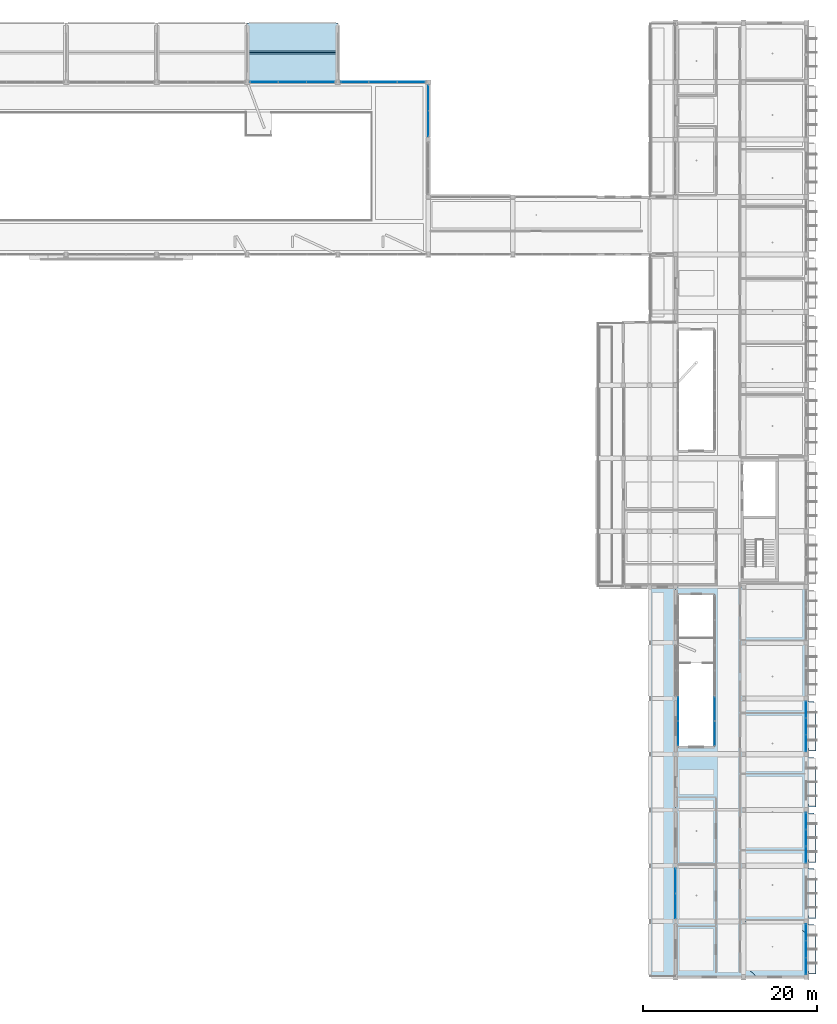
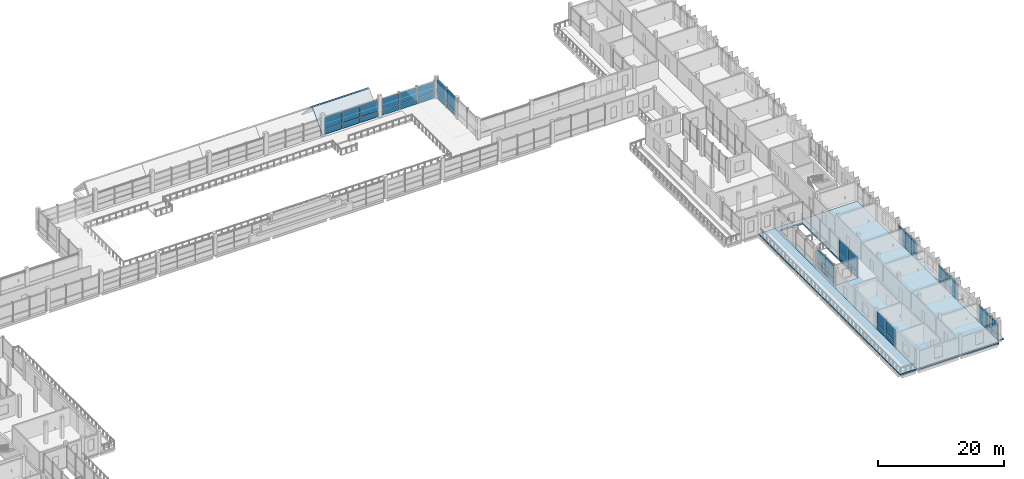
# One storey, part 34 of 85: 46 plates, 10 slabs, 10 elements without a shape of their own.
"""IFC4 building model written with IfcOpenShell, lengths in metres."""

import ifcopenshell
import ifcopenshell.guid

model = None  # the IFC model being written
_history = None  # IfcOwnerHistory: only IFC2X3 demands one
_inside = {}  # id of a spatial element -> (the spatial element, [elements in it])
_under = {}  # id of a project, library or spatial element -> (it, [spatial elements below it])
_declared = {}  # id of a project -> (the project, [libraries it declares])
_typed = {}  # id of a type object -> (the type object, [elements of that type])
_made_of = {}  # id of a material, layer set ... -> (it, [elements and type objects made of it])


def new_model(schema):
    """Start an empty IFC model of exactly this schema.

    Asked for "IFC4X3", IfcOpenShell would pick the latest addendum, in which some entities
    have other attributes; the version numbers below select the first issue.
    IFC2X3 requires an IfcOwnerHistory on every rooted entity: one is made here for all.
    """
    global model, _history
    if schema == "IFC4X3":
        model = ifcopenshell.file(schema_version=(4, 3, 0, 0))
    else:
        model = ifcopenshell.file(schema=schema)
    _inside.clear()
    _under.clear()
    _declared.clear()
    _typed.clear()
    _made_of.clear()
    _history = None
    if model.schema == "IFC2X3":
        org = make("IfcOrganization", Name="unknown")
        user = make(
            "IfcPersonAndOrganization",
            ThePerson=make("IfcPerson", FamilyName="unknown"),
            TheOrganization=org,
        )
        app = make(
            "IfcApplication",
            ApplicationDeveloper=org,
            Version="unknown",
            ApplicationFullName="unknown",
            ApplicationIdentifier="unknown",
        )
        _history = make(
            "IfcOwnerHistory",
            OwningUser=user,
            OwningApplication=app,
            ChangeAction="ADDED",
            CreationDate=0,
        )
    return model


def make(cls, **values):
    """One entity of the class cls with the attributes given. An attribute that is None is left unset."""
    return model.create_entity(
        cls, **{name: value for name, value in values.items() if value is not None}
    )


def rooted(cls, **values):
    """An entity with a GlobalId (a new one), such as an element, a storey or a relation."""
    return make(cls, GlobalId=ifcopenshell.guid.new(), OwnerHistory=_history, **values)


def si_unit(unit_type, name, prefix=None):
    """IfcSIUnit, for example si_unit("LENGTHUNIT", "METRE", prefix="MILLI")."""
    return make("IfcSIUnit", UnitType=unit_type, Prefix=prefix, Name=name)


def derived_unit(unit_type, elements):
    """IfcDerivedUnit: a product of units, each with its exponent."""
    return make(
        "IfcDerivedUnit",
        Elements=[
            make("IfcDerivedUnitElement", Unit=unit, Exponent=power)
            for unit, power in elements
        ],
        UnitType=unit_type,
    )


def assignment(units):
    """IfcUnitAssignment: the units of a project."""
    return None if units is None else make("IfcUnitAssignment", Units=units)


def point(xyz):
    """IfcCartesianPoint."""
    return None if xyz is None else make("IfcCartesianPoint", Coordinates=xyz)


def direction(xyz):
    """IfcDirection."""
    return None if xyz is None else make("IfcDirection", DirectionRatios=xyz)


def frame(location, z_axis=None, x_axis=None):
    """IfcAxis2Placement3D, a coordinate frame: its origin and axes. An axis left out is left unset."""
    return make(
        "IfcAxis2Placement3D",
        Location=point(location),
        Axis=direction(z_axis),
        RefDirection=direction(x_axis),
    )


def frame_2d(location, x_axis=None):
    """IfcAxis2Placement2D, a coordinate frame in the plane: its origin and x axis."""
    return make(
        "IfcAxis2Placement2D", Location=point(location), RefDirection=direction(x_axis)
    )


def origin():
    """The frame at (0, 0, 0) with its axes left unset."""
    return frame((0.0, 0.0, 0.0))


def origin_2d():
    """The frame at (0, 0) in the plane with its x axis left unset."""
    return frame_2d((0.0, 0.0))


def place(relative_to, where):
    """IfcLocalPlacement: puts the frame where relative to a parent placement (None: the world)."""
    return make(
        "IfcLocalPlacement", PlacementRelTo=relative_to, RelativePlacement=where
    )


def context(
    kind, dimensions, precision=None, world=None, true_north=None, identifier=None
):
    """IfcGeometricRepresentationContext, for example the 3D "Model" context."""
    return make(
        "IfcGeometricRepresentationContext",
        ContextIdentifier=identifier,
        ContextType=kind,
        CoordinateSpaceDimension=dimensions,
        Precision=precision,
        WorldCoordinateSystem=world,
        TrueNorth=true_north,
    )


def subcontext(parent, identifier, kind, view, scale=None):
    """IfcGeometricRepresentationSubContext, for example "Body" below "Model"."""
    return make(
        "IfcGeometricRepresentationSubContext",
        ContextIdentifier=identifier,
        ContextType=kind,
        ParentContext=parent,
        TargetScale=scale,
        TargetView=view,
    )


def project(units=None, contexts=None):
    """IfcProject with its units and contexts."""
    return rooted(
        "IfcProject",
        Name="project",
        RepresentationContexts=contexts,
        UnitsInContext=assignment(units),
    )


def spatial(cls, under=None, at=None, **own):
    """A site, building, storey or space (cls), placed at a placement, below another one or the project."""
    s = rooted(cls, ObjectPlacement=at, **own)
    if under is not None:
        _under.setdefault(under.id(), (under, []))[1].append(s)
    return s


def polyline(points):
    """IfcPolyline through the points."""
    return make("IfcPolyline", Points=[point(p) for p in points])


def profile(cls, at=None, kind="AREA", **sizes):
    """A parametric profile (cls). Its sizes go by their IFC names, for example OverallWidth=200.0."""
    return make(cls, ProfileType=kind, Position=at, **sizes)


def rectangle(**sizes):
    """IfcRectangleProfileDef."""
    return profile("IfcRectangleProfileDef", **sizes)


def outline(outer, holes=None, kind="AREA"):
    """IfcArbitraryClosedProfileDef: a profile drawn as a closed curve; with holes, ...WithVoids."""
    if holes is None:
        return make("IfcArbitraryClosedProfileDef", ProfileType=kind, OuterCurve=outer)
    return make(
        "IfcArbitraryProfileDefWithVoids",
        ProfileType=kind,
        OuterCurve=outer,
        InnerCurves=holes,
    )


def extrude(swept, where, along, depth):
    """IfcExtrudedAreaSolid: the profile swept, set in the frame where, extruded along a direction by depth."""
    return make(
        "IfcExtrudedAreaSolid",
        SweptArea=swept,
        Position=where,
        ExtrudedDirection=direction(along),
        Depth=depth,
    )


def shape(context_of_items, identifier, shape_type, items):
    """IfcShapeRepresentation: the items that make up one representation, for example the "Body"."""
    return make(
        "IfcShapeRepresentation",
        ContextOfItems=context_of_items,
        RepresentationIdentifier=identifier,
        RepresentationType=shape_type,
        Items=items,
    )


def material(Name=None, Category=None):
    """IfcMaterial."""
    return make("IfcMaterial", Name=Name, Category=Category)


def layer(
    of_material, thickness, ventilated=None, Name=None, Category=None, Priority=None
):
    """IfcMaterialLayer: one layer of a wall or slab, of a material (None: an air gap)."""
    return make(
        "IfcMaterialLayer",
        Material=of_material,
        LayerThickness=thickness,
        IsVentilated=ventilated,
        Name=Name,
        Category=Category,
        Priority=Priority,
    )


def layer_set(layers, Name=None):
    """IfcMaterialLayerSet."""
    return make("IfcMaterialLayerSet", MaterialLayers=layers, LayerSetName=Name)


def made_of(thing, what):
    """Note that an element or type object is made of a material, layer set ...; save() writes the relation."""
    if what is not None:
        _made_of.setdefault(what.id(), (what, []))[1].append(thing)
    return thing


def type_object(cls, material=None, **own):
    """A type object (cls), such as IfcWallType, which elements share."""
    return made_of(rooted(cls, **own), material)


def element(
    cls,
    number,
    at=None,
    inside=None,
    cuts=None,
    type_object=None,
    material=None,
    context=None,
    identifier="Body",
    shape_type=None,
    held_by="IfcProductDefinitionShape",
    body=None,
    shapes=None,
    **own,
):
    """One element of the class cls, such as IfcWall. Its Tag is "e" and its number.

    at: its placement. inside: the storey or other place that contains it. cuts: it is an
    opening in that element (IfcRelVoidsElement). A single representation is given by context,
    identifier, shape_type and body (its items); several are given by shapes. held_by: the class
    of the entity that holds the representations. save() writes the other relations.
    """
    e = rooted(cls, Tag="e%d" % number, ObjectPlacement=at, **own)
    if body is not None:
        shapes = [shape(context, identifier, shape_type, body)]
    if shapes is not None:
        e.Representation = make(held_by, Representations=shapes)
    if inside is not None:
        _inside.setdefault(inside.id(), (inside, []))[1].append(e)
    if cuts is not None:
        rooted(
            "IfcRelVoidsElement", RelatingBuildingElement=cuts, RelatedOpeningElement=e
        )
    if type_object is not None:
        _typed.setdefault(type_object.id(), (type_object, []))[1].append(e)
    return made_of(e, material)


def aggregate(whole, parts):
    """IfcRelAggregates: a whole, such as a stair, and the parts it consists of."""
    return rooted("IfcRelAggregates", RelatingObject=whole, RelatedObjects=parts)


def save(model, path):
    """Write the relations noted so far, then the file.

    IfcRelAggregates (storeys below a building ...), IfcRelContainedInSpatialStructure (elements
    in a storey), IfcRelDefinesByType, IfcRelAssociatesMaterial and IfcRelDeclares: one each for
    every whole, place, type object, material and project.
    """
    for whole, parts in _under.values():
        aggregate(whole, parts)
    for where, things in _inside.values():
        rooted(
            "IfcRelContainedInSpatialStructure",
            RelatedElements=things,
            RelatingStructure=where,
        )
    for kind, things in _typed.values():
        rooted("IfcRelDefinesByType", RelatedObjects=things, RelatingType=kind)
    for what, things in _made_of.values():
        rooted("IfcRelAssociatesMaterial", RelatedObjects=things, RelatingMaterial=what)
    for by, libraries in _declared.values():
        rooted("IfcRelDeclares", RelatingContext=by, RelatedDefinitions=libraries)
    model.write(path)


model = new_model("IFC4")

# Units and contexts
model_context = context("Model", 3, precision=1e-05, world=origin(), true_north=direction((0.0, 1.0)))
body_context = subcontext(model_context, "Body", "Model", "MODEL_VIEW")
ifc_project = project(units=[si_unit("LENGTHUNIT", "METRE"), si_unit("AREAUNIT", "SQUARE_METRE"), si_unit("VOLUMEUNIT", "CUBIC_METRE"), si_unit("PLANEANGLEUNIT", "RADIAN"), si_unit("MASSUNIT", "GRAM", prefix="KILO"), derived_unit("THERMALTRANSMITTANCEUNIT", [(si_unit("POWERUNIT", "WATT"), 1), (si_unit("LENGTHUNIT", "METRE"), -2), (si_unit("THERMODYNAMICTEMPERATUREUNIT", "KELVIN"), -1)])], contexts=[model_context])

# Site, building, storey
site_placement = place(None, origin())
site = spatial("IfcSite", under=ifc_project, at=site_placement, CompositionType="ELEMENT")
building_placement = place(site_placement, origin())
building = spatial("IfcBuilding", under=site, at=building_placement, Name="Braskholm Square Health Centre", CompositionType="ELEMENT")
storey_placement = place(building_placement, frame((0.0, 0.0, 9.300048828125)))
storey = spatial("IfcBuildingStorey", under=building, at=storey_placement, Name="L03", CompositionType="ELEMENT", Elevation=9.300048828125)

# Curtain wall, plates
ifc_material_1 = material(Name="Low-E triple insulating glass (VLT 0.64)", Category="glass")
curtain_wall_type_1 = type_object("IfcCurtainWallType", Name="UnitisedCurtainWall6200x3650", PredefinedType="NOTDEFINED", material=ifc_material_1)
curtain_wall_1_placement = place(storey_placement, origin())
curtain_wall_1 = element("IfcCurtainWall", 1, at=curtain_wall_1_placement, inside=storey, type_object=curtain_wall_type_1, Name="East Outer unitised curtain wall CW-L03-0060", PredefinedType="NOTDEFINED")
ifc_material_2 = material(Name="Architectural bronze anodised aluminium", Category="aluminium")
plate_type_1 = type_object("IfcPlateType", Name="CurtainPanelSpandrel1850x1020", PredefinedType="CURTAIN_PANEL", material=ifc_material_2)
plate_1_placement = place(storey_placement, frame((163.800048828125, 5.4599609375, 0.050048828125), z_axis=(0.0, 0.0, 1.0), x_axis=(0.0, 1.0, 0.0)))
plate_1 = element("IfcPlate", 2, at=plate_1_placement, type_object=plate_type_1, Name="CW-L03-0060 spandrel panel 1", PredefinedType="CURTAIN_PANEL", context=body_context, shape_type="SweptSolid", body=[
    extrude(rectangle(XDim=1.823486328125, YDim=0.035888671875, at=origin_2d()), origin(), (0.0, 0.0, 1.0), 1.02001953125),
])
plate_2_placement = place(storey_placement, frame((163.800048828125, 7.39990234375, 0.050048828125), z_axis=(0.0, 0.0, 1.0), x_axis=(0.0, 1.0, 0.0)))
plate_2 = element("IfcPlate", 3, at=plate_2_placement, type_object=plate_type_1, Name="CW-L03-0060 spandrel panel 2", PredefinedType="CURTAIN_PANEL", context=body_context, shape_type="SweptSolid", body=[
    extrude(rectangle(XDim=1.823486328125, YDim=0.035888671875, at=origin_2d()), origin(), (0.0, 0.0, 1.0), 1.02001953125),
])
plate_3_placement = place(storey_placement, frame((163.800048828125, 9.340087890625, 0.050048828125), z_axis=(0.0, 0.0, 1.0), x_axis=(0.0, 1.0, 0.0)))
plate_3 = element("IfcPlate", 4, at=plate_3_placement, type_object=plate_type_1, Name="CW-L03-0060 spandrel panel 3", PredefinedType="CURTAIN_PANEL", context=body_context, shape_type="SweptSolid", body=[
    extrude(rectangle(XDim=1.823486328125, YDim=0.035888671875, at=origin_2d()), origin(), (0.0, 0.0, 1.0), 1.02001953125),
])

curtain_wall_2_placement = place(storey_placement, origin())
curtain_wall_2 = element("IfcCurtainWall", 5, at=curtain_wall_2_placement, inside=storey, type_object=curtain_wall_type_1, Name="East Outer unitised curtain wall CW-L03-0061", PredefinedType="NOTDEFINED")
plate_4_placement = place(storey_placement, frame((163.800048828125, 18.260009765625, 0.050048828125), z_axis=(0.0, 0.0, 1.0), x_axis=(0.0, 1.0, 0.0)))
plate_4 = element("IfcPlate", 6, at=plate_4_placement, type_object=plate_type_1, Name="CW-L03-0061 spandrel panel 1", PredefinedType="CURTAIN_PANEL", context=body_context, shape_type="SweptSolid", body=[
    extrude(rectangle(XDim=1.823486328125, YDim=0.035888671875, at=origin_2d()), origin(), (0.0, 0.0, 1.0), 1.02001953125),
])
plate_5_placement = place(storey_placement, frame((163.800048828125, 20.199951171875, 0.050048828125), z_axis=(0.0, 0.0, 1.0), x_axis=(0.0, 1.0, 0.0)))
plate_5 = element("IfcPlate", 7, at=plate_5_placement, type_object=plate_type_1, Name="CW-L03-0061 spandrel panel 2", PredefinedType="CURTAIN_PANEL", context=body_context, shape_type="SweptSolid", body=[
    extrude(rectangle(XDim=1.823486328125, YDim=0.035888671875, at=origin_2d()), origin(), (0.0, 0.0, 1.0), 1.02001953125),
])
plate_6_placement = place(storey_placement, frame((163.800048828125, 22.139892578125, 0.050048828125), z_axis=(0.0, 0.0, 1.0), x_axis=(0.0, 1.0, 0.0)))
plate_6 = element("IfcPlate", 8, at=plate_6_placement, type_object=plate_type_1, Name="CW-L03-0061 spandrel panel 3", PredefinedType="CURTAIN_PANEL", context=body_context, shape_type="SweptSolid", body=[
    extrude(rectangle(XDim=1.823486328125, YDim=0.035888671875, at=origin_2d()), origin(), (0.0, 0.0, 1.0), 1.02001953125),
])

curtain_wall_3_placement = place(storey_placement, origin())
curtain_wall_3 = element("IfcCurtainWall", 9, at=curtain_wall_3_placement, inside=storey, type_object=curtain_wall_type_1, Name="East Outer unitised curtain wall CW-L03-0062", PredefinedType="NOTDEFINED")
plate_7_placement = place(storey_placement, frame((163.800048828125, 31.06005859375, 0.050048828125), z_axis=(0.0, 0.0, 1.0), x_axis=(0.0, 1.0, 0.0)))
plate_7 = element("IfcPlate", 10, at=plate_7_placement, type_object=plate_type_1, Name="CW-L03-0062 spandrel panel 1", PredefinedType="CURTAIN_PANEL", context=body_context, shape_type="SweptSolid", body=[
    extrude(rectangle(XDim=1.823486328125, YDim=0.035888671875, at=origin_2d()), origin(), (0.0, 0.0, 1.0), 1.02001953125),
])
plate_8_placement = place(storey_placement, frame((163.800048828125, 33.0, 0.050048828125), z_axis=(0.0, 0.0, 1.0), x_axis=(0.0, 1.0, 0.0)))
plate_8 = element("IfcPlate", 11, at=plate_8_placement, type_object=plate_type_1, Name="CW-L03-0062 spandrel panel 2", PredefinedType="CURTAIN_PANEL", context=body_context, shape_type="SweptSolid", body=[
    extrude(rectangle(XDim=1.823486328125, YDim=0.035888671875, at=origin_2d()), origin(), (0.0, 0.0, 1.0), 1.02001953125),
])
plate_9_placement = place(storey_placement, frame((163.800048828125, 34.93994140625, 0.050048828125), z_axis=(0.0, 0.0, 1.0), x_axis=(0.0, 1.0, 0.0)))
plate_9 = element("IfcPlate", 12, at=plate_9_placement, type_object=plate_type_1, Name="CW-L03-0062 spandrel panel 3", PredefinedType="CURTAIN_PANEL", context=body_context, shape_type="SweptSolid", body=[
    extrude(rectangle(XDim=1.823486328125, YDim=0.035888671875, at=origin_2d()), origin(), (0.0, 0.0, 1.0), 1.02001953125),
])

curtain_wall_4_placement = place(storey_placement, origin())
curtain_wall_4 = element("IfcCurtainWall", 13, at=curtain_wall_4_placement, inside=storey, type_object=curtain_wall_type_1, Name="East Valley unitised curtain wall CW-L03-0123", PredefinedType="NOTDEFINED")
plate_type_2 = type_object("IfcPlateType", Name="CurtainPanelSpandrel2750x1020", PredefinedType="CURTAIN_PANEL", material=ifc_material_2)
plate_10_placement = place(storey_placement, frame((148.800048828125, 15.25244140625, 0.050048828125), z_axis=(0.0, 0.0, 1.0), x_axis=(0.0, -1.0, 0.0)))
plate_10 = element("IfcPlate", 14, at=plate_10_placement, type_object=plate_type_2, Name="CW-L03-0123 spandrel panel 1", PredefinedType="CURTAIN_PANEL", context=body_context, shape_type="SweptSolid", body=[
    extrude(rectangle(XDim=2.763671875, YDim=0.035888671875, at=origin_2d()), origin(), (0.0, 0.0, 1.0), 1.02001953125),
])
plate_11_placement = place(storey_placement, frame((148.800048828125, 12.34765625, 0.050048828125), z_axis=(0.0, 0.0, 1.0), x_axis=(0.0, -1.0, 0.0)))
plate_11 = element("IfcPlate", 15, at=plate_11_placement, type_object=plate_type_2, Name="CW-L03-0123 spandrel panel 2", PredefinedType="CURTAIN_PANEL", context=body_context, shape_type="SweptSolid", body=[
    extrude(rectangle(XDim=2.763671875, YDim=0.035888671875, at=origin_2d()), origin(), (0.0, 0.0, 1.0), 1.02001953125),
])

curtain_wall_type_2 = type_object("IfcCurtainWallType", Name="UnitisedCurtainWall6200x3800", PredefinedType="NOTDEFINED", material=ifc_material_1)
curtain_wall_5_placement = place(storey_placement, origin())
curtain_wall_5 = element("IfcCurtainWall", 16, at=curtain_wall_5_placement, inside=storey, type_object=curtain_wall_type_2, Name="Hall Cheek L03 unitised curtain wall CW-L03-0228", PredefinedType="NOTDEFINED")
plate_12_placement = place(storey_placement, frame((120.39990234375, 102.218017578125, 0.050048828125), z_axis=(0.0, 0.0, 1.0), x_axis=(0.0, 1.0, 0.0)))
plate_12 = element("IfcPlate", 17, at=plate_12_placement, type_object=plate_type_2, Name="CW-L03-0228 spandrel panel 1", PredefinedType="CURTAIN_PANEL", context=body_context, shape_type="SweptSolid", body=[
    extrude(rectangle(XDim=2.820068359375, YDim=0.035888671875, at=origin_2d()), origin(), (0.0, 0.0, 1.0), 1.02001953125),
])
plate_13_placement = place(storey_placement, frame((120.39990234375, 105.181884765625, 0.050048828125), z_axis=(0.0, 0.0, 1.0), x_axis=(0.0, 1.0, 0.0)))
plate_13 = element("IfcPlate", 18, at=plate_13_placement, type_object=plate_type_2, Name="CW-L03-0228 spandrel panel 2", PredefinedType="CURTAIN_PANEL", context=body_context, shape_type="SweptSolid", body=[
    extrude(rectangle(XDim=2.820068359375, YDim=0.035888671875, at=origin_2d()), origin(), (0.0, 0.0, 1.0), 1.02001953125),
])

curtain_wall_type_3 = type_object("IfcCurtainWallType", Name="UnitisedCurtainWall5400x4100", PredefinedType="NOTDEFINED", material=ifc_material_1)
curtain_wall_6_placement = place(storey_placement, origin())
curtain_wall_6 = element("IfcCurtainWall", 19, at=curtain_wall_6_placement, inside=storey, type_object=curtain_wall_type_3, Name="EC1 Court W unitised curtain wall CW-L03-0333", PredefinedType="NOTDEFINED")
plate_14_placement = place(storey_placement, frame((149.10009765625, 32.187744140625, 0.050048828125), z_axis=(0.0, 0.0, 1.0), x_axis=(0.0, 1.0, 0.0)))
plate_14 = element("IfcPlate", 20, at=plate_14_placement, type_object=plate_type_2, Name="CW-L03-0333 spandrel panel 1", PredefinedType="CURTAIN_PANEL", context=body_context, shape_type="SweptSolid", body=[
    extrude(rectangle(XDim=2.689208984375, YDim=0.035888671875, at=origin_2d()), origin(), (0.0, 0.0, 1.0), 1.02001953125),
])
plate_15_placement = place(storey_placement, frame((149.10009765625, 35.014404296875, 0.050048828125), z_axis=(0.0, 0.0, 1.0), x_axis=(0.0, 1.0, 0.0)))
plate_15 = element("IfcPlate", 21, at=plate_15_placement, type_object=plate_type_2, Name="CW-L03-0333 spandrel panel 2", PredefinedType="CURTAIN_PANEL", context=body_context, shape_type="SweptSolid", body=[
    extrude(rectangle(XDim=2.689208984375, YDim=0.035888671875, at=origin_2d()), origin(), (0.0, 0.0, 1.0), 1.02001953125),
])

curtain_wall_7_placement = place(storey_placement, origin())
curtain_wall_7 = element("IfcCurtainWall", 22, at=curtain_wall_7_placement, inside=storey, type_object=curtain_wall_type_3, Name="EC1 Court E unitised curtain wall CW-L03-0334", PredefinedType="NOTDEFINED")
plate_16_placement = place(storey_placement, frame((153.300048828125, 35.014404296875, 0.050048828125), z_axis=(0.0, 0.0, 1.0), x_axis=(0.0, -1.0, 0.0)))
plate_16 = element("IfcPlate", 23, at=plate_16_placement, type_object=plate_type_2, Name="CW-L03-0334 spandrel panel 1", PredefinedType="CURTAIN_PANEL", context=body_context, shape_type="SweptSolid", body=[
    extrude(rectangle(XDim=2.689208984375, YDim=0.035888671875, at=origin_2d()), origin(), (0.0, 0.0, 1.0), 1.02001953125),
])
plate_17_placement = place(storey_placement, frame((153.300048828125, 32.187744140625, 0.050048828125), z_axis=(0.0, 0.0, 1.0), x_axis=(0.0, -1.0, 0.0)))
plate_17 = element("IfcPlate", 24, at=plate_17_placement, type_object=plate_type_2, Name="CW-L03-0334 spandrel panel 2", PredefinedType="CURTAIN_PANEL", context=body_context, shape_type="SweptSolid", body=[
    extrude(rectangle(XDim=2.689208984375, YDim=0.035888671875, at=origin_2d()), origin(), (0.0, 0.0, 1.0), 1.02001953125),
])

curtain_wall_8_placement = place(storey_placement, origin())
curtain_wall_8 = element("IfcCurtainWall", 25, at=curtain_wall_8_placement, inside=storey, type_object=curtain_wall_type_1, Name="Hall North Clerestory unitised curtain wall CW-L03-0234", PredefinedType="NOTDEFINED")
plate_type_3 = type_object("IfcPlateType", Name="CurtainPanelSpandrel3150x1020", PredefinedType="CURTAIN_PANEL", material=ifc_material_2)
plate_18_placement = place(storey_placement, frame((108.066650390625, 107.0, 0.050048828125), z_axis=(0.0, 0.0, 1.0), x_axis=(-1.0, 0.0, 0.0)))
plate_18 = element("IfcPlate", 26, at=plate_18_placement, type_object=plate_type_3, Name="CW-L03-0234 spandrel panel 1", PredefinedType="CURTAIN_PANEL", context=body_context, shape_type="SweptSolid", body=[
    extrude(rectangle(XDim=3.07080078125, YDim=0.035888671875, at=origin_2d()), origin(), (0.0, 0.0, 1.0), 1.02001953125),
])
plate_19_placement = place(storey_placement, frame((104.800048828125, 107.0, 0.050048828125), z_axis=(0.0, 0.0, 1.0), x_axis=(-1.0, 0.0, 0.0)))
plate_19 = element("IfcPlate", 27, at=plate_19_placement, type_object=plate_type_3, Name="CW-L03-0234 spandrel panel 2", PredefinedType="CURTAIN_PANEL", context=body_context, shape_type="SweptSolid", body=[
    extrude(rectangle(XDim=3.07080078125, YDim=0.035888671875, at=origin_2d()), origin(), (0.0, 0.0, 1.0), 1.02001953125),
])
plate_20_placement = place(storey_placement, frame((101.533203125, 107.0, 0.050048828125), z_axis=(0.0, 0.0, 1.0), x_axis=(-1.0, 0.0, 0.0)))
plate_20 = element("IfcPlate", 28, at=plate_20_placement, type_object=plate_type_3, Name="CW-L03-0234 spandrel panel 3", PredefinedType="CURTAIN_PANEL", context=body_context, shape_type="SweptSolid", body=[
    extrude(rectangle(XDim=3.07080078125, YDim=0.035888671875, at=origin_2d()), origin(), (0.0, 0.0, 1.0), 1.02001953125),
])

curtain_wall_9_placement = place(storey_placement, origin())
curtain_wall_9 = element("IfcCurtainWall", 29, at=curtain_wall_9_placement, inside=storey, type_object=curtain_wall_type_1, Name="Hall North Clerestory unitised curtain wall CW-L03-0235", PredefinedType="NOTDEFINED")
plate_21_placement = place(storey_placement, frame((118.466796875, 107.0, 0.050048828125), z_axis=(0.0, 0.0, 1.0), x_axis=(-1.0, 0.0, 0.0)))
plate_21 = element("IfcPlate", 30, at=plate_21_placement, type_object=plate_type_3, Name="CW-L03-0235 spandrel panel 1", PredefinedType="CURTAIN_PANEL", context=body_context, shape_type="SweptSolid", body=[
    extrude(rectangle(XDim=3.07080078125, YDim=0.035888671875, at=origin_2d()), origin(), (0.0, 0.0, 1.0), 1.02001953125),
])
plate_22_placement = place(storey_placement, frame((115.199951171875, 107.0, 0.050048828125), z_axis=(0.0, 0.0, 1.0), x_axis=(-1.0, 0.0, 0.0)))
plate_22 = element("IfcPlate", 31, at=plate_22_placement, type_object=plate_type_3, Name="CW-L03-0235 spandrel panel 2", PredefinedType="CURTAIN_PANEL", context=body_context, shape_type="SweptSolid", body=[
    extrude(rectangle(XDim=3.07080078125, YDim=0.035888671875, at=origin_2d()), origin(), (0.0, 0.0, 1.0), 1.02001953125),
])
plate_23_placement = place(storey_placement, frame((111.933349609375, 107.0, 0.050048828125), z_axis=(0.0, 0.0, 1.0), x_axis=(-1.0, 0.0, 0.0)))
plate_23 = element("IfcPlate", 32, at=plate_23_placement, type_object=plate_type_3, Name="CW-L03-0235 spandrel panel 3", PredefinedType="CURTAIN_PANEL", context=body_context, shape_type="SweptSolid", body=[
    extrude(rectangle(XDim=3.07080078125, YDim=0.035888671875, at=origin_2d()), origin(), (0.0, 0.0, 1.0), 1.02001953125),
])

# Plate
plate_type_4 = type_object("IfcPlateType", Name="CurtainPanelVision1850x2120", PredefinedType="CURTAIN_PANEL", material=ifc_material_1)
plate_24_placement = place(storey_placement, frame((163.800048828125, 5.4599609375, 1.169921875), z_axis=(0.0, 0.0, 1.0), x_axis=(0.0, 1.0, 0.0)))
plate_24 = element("IfcPlate", 33, at=plate_24_placement, type_object=plate_type_4, Name="CW-L03-0060 vision glass panel 1", PredefinedType="CURTAIN_PANEL", context=body_context, shape_type="SweptSolid", body=[
    extrude(rectangle(XDim=1.823486328125, YDim=0.035888671875, at=origin_2d()), origin(), (0.0, 0.0, 1.0), 2.199951171875),
])

plate_25_placement = place(storey_placement, frame((163.800048828125, 7.39990234375, 1.169921875), z_axis=(0.0, 0.0, 1.0), x_axis=(0.0, 1.0, 0.0)))
plate_25 = element("IfcPlate", 34, at=plate_25_placement, type_object=plate_type_4, Name="CW-L03-0060 vision glass panel 2", PredefinedType="CURTAIN_PANEL", context=body_context, shape_type="SweptSolid", body=[
    extrude(rectangle(XDim=1.823486328125, YDim=0.035888671875, at=origin_2d()), origin(), (0.0, 0.0, 1.0), 2.199951171875),
])

plate_26_placement = place(storey_placement, frame((163.800048828125, 9.340087890625, 1.169921875), z_axis=(0.0, 0.0, 1.0), x_axis=(0.0, 1.0, 0.0)))
plate_26 = element("IfcPlate", 35, at=plate_26_placement, type_object=plate_type_4, Name="CW-L03-0060 vision glass panel 3", PredefinedType="CURTAIN_PANEL", context=body_context, shape_type="SweptSolid", body=[
    extrude(rectangle(XDim=1.823486328125, YDim=0.035888671875, at=origin_2d()), origin(), (0.0, 0.0, 1.0), 2.199951171875),
])

aggregate(curtain_wall_1, [plate_1, plate_24, plate_2, plate_25, plate_3, plate_26])

plate_27_placement = place(storey_placement, frame((163.800048828125, 18.260009765625, 1.169921875), z_axis=(0.0, 0.0, 1.0), x_axis=(0.0, 1.0, 0.0)))
plate_27 = element("IfcPlate", 36, at=plate_27_placement, type_object=plate_type_4, Name="CW-L03-0061 vision glass panel 1", PredefinedType="CURTAIN_PANEL", context=body_context, shape_type="SweptSolid", body=[
    extrude(rectangle(XDim=1.823486328125, YDim=0.035888671875, at=origin_2d()), origin(), (0.0, 0.0, 1.0), 2.199951171875),
])

plate_28_placement = place(storey_placement, frame((163.800048828125, 20.199951171875, 1.169921875), z_axis=(0.0, 0.0, 1.0), x_axis=(0.0, 1.0, 0.0)))
plate_28 = element("IfcPlate", 37, at=plate_28_placement, type_object=plate_type_4, Name="CW-L03-0061 vision glass panel 2", PredefinedType="CURTAIN_PANEL", context=body_context, shape_type="SweptSolid", body=[
    extrude(rectangle(XDim=1.823486328125, YDim=0.035888671875, at=origin_2d()), origin(), (0.0, 0.0, 1.0), 2.199951171875),
])

plate_29_placement = place(storey_placement, frame((163.800048828125, 22.139892578125, 1.169921875), z_axis=(0.0, 0.0, 1.0), x_axis=(0.0, 1.0, 0.0)))
plate_29 = element("IfcPlate", 38, at=plate_29_placement, type_object=plate_type_4, Name="CW-L03-0061 vision glass panel 3", PredefinedType="CURTAIN_PANEL", context=body_context, shape_type="SweptSolid", body=[
    extrude(rectangle(XDim=1.823486328125, YDim=0.035888671875, at=origin_2d()), origin(), (0.0, 0.0, 1.0), 2.199951171875),
])

aggregate(curtain_wall_2, [plate_4, plate_27, plate_5, plate_28, plate_6, plate_29])

plate_30_placement = place(storey_placement, frame((163.800048828125, 31.06005859375, 1.169921875), z_axis=(0.0, 0.0, 1.0), x_axis=(0.0, 1.0, 0.0)))
plate_30 = element("IfcPlate", 39, at=plate_30_placement, type_object=plate_type_4, Name="CW-L03-0062 vision glass panel 1", PredefinedType="CURTAIN_PANEL", context=body_context, shape_type="SweptSolid", body=[
    extrude(rectangle(XDim=1.823486328125, YDim=0.035888671875, at=origin_2d()), origin(), (0.0, 0.0, 1.0), 2.199951171875),
])

plate_31_placement = place(storey_placement, frame((163.800048828125, 33.0, 1.169921875), z_axis=(0.0, 0.0, 1.0), x_axis=(0.0, 1.0, 0.0)))
plate_31 = element("IfcPlate", 40, at=plate_31_placement, type_object=plate_type_4, Name="CW-L03-0062 vision glass panel 2", PredefinedType="CURTAIN_PANEL", context=body_context, shape_type="SweptSolid", body=[
    extrude(rectangle(XDim=1.823486328125, YDim=0.035888671875, at=origin_2d()), origin(), (0.0, 0.0, 1.0), 2.199951171875),
])

plate_32_placement = place(storey_placement, frame((163.800048828125, 34.93994140625, 1.169921875), z_axis=(0.0, 0.0, 1.0), x_axis=(0.0, 1.0, 0.0)))
plate_32 = element("IfcPlate", 41, at=plate_32_placement, type_object=plate_type_4, Name="CW-L03-0062 vision glass panel 3", PredefinedType="CURTAIN_PANEL", context=body_context, shape_type="SweptSolid", body=[
    extrude(rectangle(XDim=1.823486328125, YDim=0.035888671875, at=origin_2d()), origin(), (0.0, 0.0, 1.0), 2.199951171875),
])

aggregate(curtain_wall_3, [plate_7, plate_30, plate_8, plate_31, plate_9, plate_32])

plate_type_5 = type_object("IfcPlateType", Name="CurtainPanelVision2750x2120", PredefinedType="CURTAIN_PANEL", material=ifc_material_1)
plate_33_placement = place(storey_placement, frame((148.800048828125, 15.25244140625, 1.169921875), z_axis=(0.0, 0.0, 1.0), x_axis=(0.0, -1.0, 0.0)))
plate_33 = element("IfcPlate", 42, at=plate_33_placement, type_object=plate_type_5, Name="CW-L03-0123 vision glass panel 1", PredefinedType="CURTAIN_PANEL", context=body_context, shape_type="SweptSolid", body=[
    extrude(rectangle(XDim=2.763671875, YDim=0.035888671875, at=origin_2d()), origin(), (0.0, 0.0, 1.0), 2.2900390625),
])

plate_34_placement = place(storey_placement, frame((148.800048828125, 12.34765625, 1.169921875), z_axis=(0.0, 0.0, 1.0), x_axis=(0.0, -1.0, 0.0)))
plate_34 = element("IfcPlate", 43, at=plate_34_placement, type_object=plate_type_5, Name="CW-L03-0123 vision glass panel 2", PredefinedType="CURTAIN_PANEL", context=body_context, shape_type="SweptSolid", body=[
    extrude(rectangle(XDim=2.763671875, YDim=0.035888671875, at=origin_2d()), origin(), (0.0, 0.0, 1.0), 2.2900390625),
])

aggregate(curtain_wall_4, [plate_10, plate_33, plate_11, plate_34])

plate_type_6 = type_object("IfcPlateType", Name="CurtainPanelVision2750x2520", PredefinedType="CURTAIN_PANEL", material=ifc_material_1)
plate_35_placement = place(storey_placement, frame((120.39990234375, 102.218017578125, 1.169921875), z_axis=(0.0, 0.0, 1.0), x_axis=(0.0, 1.0, 0.0)))
plate_35 = element("IfcPlate", 44, at=plate_35_placement, type_object=plate_type_6, Name="CW-L03-0228 vision glass panel 1", PredefinedType="CURTAIN_PANEL", context=body_context, shape_type="SweptSolid", body=[
    extrude(rectangle(XDim=2.820068359375, YDim=0.035888671875, at=origin_2d()), origin(), (0.0, 0.0, 1.0), 2.6201171875),
])

plate_36_placement = place(storey_placement, frame((120.39990234375, 105.181884765625, 1.169921875), z_axis=(0.0, 0.0, 1.0), x_axis=(0.0, 1.0, 0.0)))
plate_36 = element("IfcPlate", 45, at=plate_36_placement, type_object=plate_type_6, Name="CW-L03-0228 vision glass panel 2", PredefinedType="CURTAIN_PANEL", context=body_context, shape_type="SweptSolid", body=[
    extrude(rectangle(XDim=2.820068359375, YDim=0.035888671875, at=origin_2d()), origin(), (0.0, 0.0, 1.0), 2.6201171875),
])

aggregate(curtain_wall_5, [plate_12, plate_35, plate_13, plate_36])

plate_37_placement = place(storey_placement, frame((149.10009765625, 32.187744140625, 1.169921875), z_axis=(0.0, 0.0, 1.0), x_axis=(0.0, 1.0, 0.0)))
plate_37 = element("IfcPlate", 46, at=plate_37_placement, type_object=plate_type_6, Name="CW-L03-0333 vision glass panel 1", PredefinedType="CURTAIN_PANEL", context=body_context, shape_type="SweptSolid", body=[
    extrude(rectangle(XDim=2.689208984375, YDim=0.035888671875, at=origin_2d()), origin(), (0.0, 0.0, 1.0), 2.669921875),
])

plate_38_placement = place(storey_placement, frame((149.10009765625, 35.014404296875, 1.169921875), z_axis=(0.0, 0.0, 1.0), x_axis=(0.0, 1.0, 0.0)))
plate_38 = element("IfcPlate", 47, at=plate_38_placement, type_object=plate_type_6, Name="CW-L03-0333 vision glass panel 2", PredefinedType="CURTAIN_PANEL", context=body_context, shape_type="SweptSolid", body=[
    extrude(rectangle(XDim=2.689208984375, YDim=0.035888671875, at=origin_2d()), origin(), (0.0, 0.0, 1.0), 2.669921875),
])

aggregate(curtain_wall_6, [plate_14, plate_37, plate_15, plate_38])

plate_39_placement = place(storey_placement, frame((153.300048828125, 35.014404296875, 1.169921875), z_axis=(0.0, 0.0, 1.0), x_axis=(0.0, -1.0, 0.0)))
plate_39 = element("IfcPlate", 48, at=plate_39_placement, type_object=plate_type_6, Name="CW-L03-0334 vision glass panel 1", PredefinedType="CURTAIN_PANEL", context=body_context, shape_type="SweptSolid", body=[
    extrude(rectangle(XDim=2.689208984375, YDim=0.035888671875, at=origin_2d()), origin(), (0.0, 0.0, 1.0), 2.669921875),
])

plate_40_placement = place(storey_placement, frame((153.300048828125, 32.187744140625, 1.169921875), z_axis=(0.0, 0.0, 1.0), x_axis=(0.0, -1.0, 0.0)))
plate_40 = element("IfcPlate", 49, at=plate_40_placement, type_object=plate_type_6, Name="CW-L03-0334 vision glass panel 2", PredefinedType="CURTAIN_PANEL", context=body_context, shape_type="SweptSolid", body=[
    extrude(rectangle(XDim=2.689208984375, YDim=0.035888671875, at=origin_2d()), origin(), (0.0, 0.0, 1.0), 2.669921875),
])

aggregate(curtain_wall_7, [plate_16, plate_39, plate_17, plate_40])

plate_type_7 = type_object("IfcPlateType", Name="CurtainPanelVision3150x2120", PredefinedType="CURTAIN_PANEL", material=ifc_material_1)
plate_41_placement = place(storey_placement, frame((108.066650390625, 107.0, 1.169921875), z_axis=(0.0, 0.0, 1.0), x_axis=(-1.0, 0.0, 0.0)))
plate_41 = element("IfcPlate", 50, at=plate_41_placement, type_object=plate_type_7, Name="CW-L03-0234 vision glass panel 1", PredefinedType="CURTAIN_PANEL", context=body_context, shape_type="SweptSolid", body=[
    extrude(rectangle(XDim=3.07080078125, YDim=0.035888671875, at=origin_2d()), origin(), (0.0, 0.0, 1.0), 2.075927734375),
])

plate_42_placement = place(storey_placement, frame((104.800048828125, 107.0, 1.169921875), z_axis=(0.0, 0.0, 1.0), x_axis=(-1.0, 0.0, 0.0)))
plate_42 = element("IfcPlate", 51, at=plate_42_placement, type_object=plate_type_7, Name="CW-L03-0234 vision glass panel 2", PredefinedType="CURTAIN_PANEL", context=body_context, shape_type="SweptSolid", body=[
    extrude(rectangle(XDim=3.07080078125, YDim=0.035888671875, at=origin_2d()), origin(), (0.0, 0.0, 1.0), 2.075927734375),
])

plate_43_placement = place(storey_placement, frame((101.533203125, 107.0, 1.169921875), z_axis=(0.0, 0.0, 1.0), x_axis=(-1.0, 0.0, 0.0)))
plate_43 = element("IfcPlate", 52, at=plate_43_placement, type_object=plate_type_7, Name="CW-L03-0234 vision glass panel 3", PredefinedType="CURTAIN_PANEL", context=body_context, shape_type="SweptSolid", body=[
    extrude(rectangle(XDim=3.07080078125, YDim=0.035888671875, at=origin_2d()), origin(), (0.0, 0.0, 1.0), 2.075927734375),
])

aggregate(curtain_wall_8, [plate_18, plate_41, plate_19, plate_42, plate_20, plate_43])

plate_44_placement = place(storey_placement, frame((118.466796875, 107.0, 1.169921875), z_axis=(0.0, 0.0, 1.0), x_axis=(-1.0, 0.0, 0.0)))
plate_44 = element("IfcPlate", 53, at=plate_44_placement, type_object=plate_type_7, Name="CW-L03-0235 vision glass panel 1", PredefinedType="CURTAIN_PANEL", context=body_context, shape_type="SweptSolid", body=[
    extrude(rectangle(XDim=3.07080078125, YDim=0.035888671875, at=origin_2d()), origin(), (0.0, 0.0, 1.0), 2.075927734375),
])

plate_45_placement = place(storey_placement, frame((115.199951171875, 107.0, 1.169921875), z_axis=(0.0, 0.0, 1.0), x_axis=(-1.0, 0.0, 0.0)))
plate_45 = element("IfcPlate", 54, at=plate_45_placement, type_object=plate_type_7, Name="CW-L03-0235 vision glass panel 2", PredefinedType="CURTAIN_PANEL", context=body_context, shape_type="SweptSolid", body=[
    extrude(rectangle(XDim=3.07080078125, YDim=0.035888671875, at=origin_2d()), origin(), (0.0, 0.0, 1.0), 2.075927734375),
])

plate_46_placement = place(storey_placement, frame((111.933349609375, 107.0, 1.169921875), z_axis=(0.0, 0.0, 1.0), x_axis=(-1.0, 0.0, 0.0)))
plate_46 = element("IfcPlate", 55, at=plate_46_placement, type_object=plate_type_7, Name="CW-L03-0235 vision glass panel 3", PredefinedType="CURTAIN_PANEL", context=body_context, shape_type="SweptSolid", body=[
    extrude(rectangle(XDim=3.07080078125, YDim=0.035888671875, at=origin_2d()), origin(), (0.0, 0.0, 1.0), 2.075927734375),
])

aggregate(curtain_wall_9, [plate_21, plate_44, plate_22, plate_45, plate_23, plate_46])

# Slabs
ifc_material_3 = material(Name="Precast concrete C40/50 architectural white", Category="concrete")
ifc_layer_1 = layer(ifc_material_3, 0.2099609375)
ifc_layer_set_1 = layer_set([ifc_layer_1], Name="Precast concrete C40/50 architectural white")
slab_type_1 = type_object("IfcSlabType", Name="PitchedAndCrownRoofSlab150", PredefinedType="ROOF", material=ifc_layer_set_1)
slab_1_placement = place(storey_placement, frame((0.0, 0.0, -0.2099609375)))
element("IfcSlab", 56, at=slab_1_placement, inside=storey, type_object=slab_type_1, Name="Level L03 East precast planter ledge 081", PredefinedType="ROOF", context=body_context, shape_type="SweptSolid", body=[
    extrude(outline(polyline([(164.052978515625, 4.550048828125), (164.949951171875, 4.550048828125), (164.949951171875, 8.99609375), (164.697021484375, 10.25), (163.800048828125, 10.25), (163.800048828125, 5.803955078125), (164.052978515625, 4.550048828125)])), origin(), (0.0, 0.0, 1.0), 0.2099609375),
])
slab_2_placement = place(storey_placement, frame((0.0, 0.0, -0.2099609375)))
element("IfcSlab", 57, at=slab_2_placement, inside=storey, type_object=slab_type_1, Name="Level L03 East precast planter ledge 082", PredefinedType="ROOF", context=body_context, shape_type="SweptSolid", body=[
    extrude(outline(polyline([(164.052978515625, 10.949951171875), (164.949951171875, 10.949951171875), (164.949951171875, 15.39599609375), (164.697021484375, 16.64990234375), (163.800048828125, 16.64990234375), (163.800048828125, 12.2041015625), (164.052978515625, 10.949951171875)])), origin(), (0.0, 0.0, 1.0), 0.2099609375),
])
slab_3_placement = place(storey_placement, frame((0.0, 0.0, -0.2099609375)))
element("IfcSlab", 58, at=slab_3_placement, inside=storey, type_object=slab_type_1, Name="Level L03 East precast planter ledge 083", PredefinedType="ROOF", context=body_context, shape_type="SweptSolid", body=[
    extrude(outline(polyline([(164.052978515625, 17.35009765625), (164.949951171875, 17.35009765625), (164.949951171875, 21.7958984375), (164.697021484375, 23.050048828125), (163.800048828125, 23.050048828125), (163.800048828125, 18.60400390625), (164.052978515625, 17.35009765625)])), origin(), (0.0, 0.0, 1.0), 0.2099609375),
])
slab_4_placement = place(storey_placement, frame((0.0, 0.0, -0.2099609375)))
element("IfcSlab", 59, at=slab_4_placement, inside=storey, type_object=slab_type_1, Name="Level L03 East precast planter ledge 084", PredefinedType="ROOF", context=body_context, shape_type="SweptSolid", body=[
    extrude(outline(polyline([(164.052978515625, 23.75), (164.949951171875, 23.75), (164.949951171875, 28.196044921875), (164.697021484375, 29.449951171875), (163.800048828125, 29.449951171875), (163.800048828125, 25.00390625), (164.052978515625, 23.75)])), origin(), (0.0, 0.0, 1.0), 0.2099609375),
])
slab_5_placement = place(storey_placement, frame((0.0, 0.0, -0.2099609375)))
element("IfcSlab", 60, at=slab_5_placement, inside=storey, type_object=slab_type_1, Name="Level L03 East precast planter ledge 085", PredefinedType="ROOF", context=body_context, shape_type="SweptSolid", body=[
    extrude(outline(polyline([(164.052978515625, 30.14990234375), (164.949951171875, 30.14990234375), (164.949951171875, 34.595947265625), (164.697021484375, 35.85009765625), (163.800048828125, 35.85009765625), (163.800048828125, 31.404052734375), (164.052978515625, 30.14990234375)])), origin(), (0.0, 0.0, 1.0), 0.2099609375),
])

# Roof, slabs
ifc_material_4 = material(Name="Patinated standing-seam architectural copper")
roof_type = type_object("IfcRoofType", Name="HydrotherapyHipRoof", PredefinedType="HIP_ROOF", material=ifc_material_4)
roof_placement = place(storey_placement, origin())
roof = element("IfcRoof", 61, at=roof_placement, inside=storey, type_object=roof_type, Name="Hydrotherapy Pavilion pitched copper roof", PredefinedType="HIP_ROOF")
slab_6_placement = place(storey_placement, frame((99.60009765625, 107.0, 0.0), z_axis=(0.0, -0.731053547869, 0.682320093613), x_axis=(1.0, 0.0, 0.0)))
slab_6 = element("IfcSlab", 62, at=slab_6_placement, type_object=slab_type_1, Name="Hydrotherapy pitched roof deck Bay 5 South", PredefinedType="ROOF", context=body_context, shape_type="SweptSolid", body=[
    extrude(outline(polyline([(0.0, 0.0), (10.39990234375, 0.0), (10.39990234375, 4.719149755761624), (0.0, 4.719149755761624), (0.0, 0.0)])), origin(), (0.0, 0.0, -1.0), 0.2099609375),
])
slab_7_placement = place(storey_placement, frame((110.0, 113.800048828125, 0.0), z_axis=(0.0, 0.731053547869, 0.682320093613), x_axis=(-1.0, 0.0, 0.0)))
slab_7 = element("IfcSlab", 63, at=slab_7_placement, type_object=slab_type_1, Name="Hydrotherapy pitched roof deck Bay 5 North", PredefinedType="ROOF", context=body_context, shape_type="SweptSolid", body=[
    extrude(outline(polyline([(0.0, 0.0), (10.39990234375, 0.0), (10.39990234375, 4.719149755761624), (0.0, 4.719149755761624), (0.0, 0.0)])), origin(), (0.0, 0.0, -1.0), 0.2099609375),
])
aggregate(roof, [slab_6, slab_7])

# Slabs
ifc_material_5 = material(Name="Concrete C35/45 (f'c = 35 MPa)", Category="concrete")
ifc_layer_2 = layer(ifc_material_5, 0.25)
ifc_layer_set_2 = layer_set([ifc_layer_2], Name="Concrete C35/45 (f'c = 35 MPa)")
slab_type_2 = type_object("IfcSlabType", Name="PlantedTerraceRoofSlab250", PredefinedType="ROOF", material=ifc_layer_set_2)
slab_8_placement = place(storey_placement, frame((0.0, 0.0, -0.25)))
element("IfcSlab", 64, at=slab_8_placement, inside=storey, type_object=slab_type_2, Name="Level L03 Southeast Step 1 planted therapy terrace slab", PredefinedType="ROOF", context=body_context, shape_type="SweptSolid", body=[
    extrude(outline(polyline([(145.800048828125, 4.199951171875), (148.800048828125, 4.199951171875), (148.800048828125, 49.0), (145.800048828125, 49.0), (145.800048828125, 4.199951171875)])), origin(), (0.0, 0.0, 1.0), 0.25),
])
ifc_layer_3 = layer(ifc_material_5, 0.199951171875)
ifc_layer_set_3 = layer_set([ifc_layer_3], Name="Concrete C35/45 (f'c = 35 MPa)")
slab_type_3 = type_object("IfcSlabType", Name="PunchingDropPanel200", PredefinedType="USERDEFINED", material=ifc_layer_set_3)
slab_9_placement = place(storey_placement, frame((0.0, 0.0, -0.5)))
element("IfcSlab", 65, at=slab_9_placement, inside=storey, type_object=slab_type_3, Name="Thickened vibration drop panel 011 L03", ObjectType="DROPPANEL", PredefinedType="USERDEFINED", context=body_context, shape_type="SweptSolid", body=[
    extrude(outline(polyline([(158.18408203125, 4.199951171875), (163.800048828125, 4.199951171875), (163.800048828125, 9.19189453125), (162.216064453125, 10.60009765625), (156.60009765625, 10.60009765625), (156.60009765625, 5.60791015625), (158.18408203125, 4.199951171875)])), origin(), (0.0, 0.0, 1.0), 0.199951171875),
])
ifc_layer_4 = layer(ifc_material_5, 0.300048828125)
ifc_layer_set_4 = layer_set([ifc_layer_4], Name="Concrete C35/45 (f'c = 35 MPa)")
slab_type_4 = type_object("IfcSlabType", Name="TwoWayClinicalFlatSlab300", PredefinedType="FLOOR", material=ifc_layer_set_4)
slab_10_placement = place(storey_placement, frame((0.0, 0.0, -0.300048828125)))
element("IfcSlab", 66, at=slab_10_placement, inside=storey, type_object=slab_type_4, Name="Level L03 V6 Maternal and community clinic slab", PredefinedType="FLOOR", context=body_context, shape_type="SweptSolid", body=[
    extrude(outline(polyline([(148.800048828125, 4.199951171875), (163.800048828125, 4.199951171875), (163.800048828125, 49.0), (148.800048828125, 49.0), (148.800048828125, 4.199951171875)]), holes=[polyline([(149.10009765625, 30.60009765625), (153.300048828125, 30.60009765625), (153.300048828125, 48.199951171875), (149.10009765625, 48.199951171875), (149.10009765625, 30.60009765625)])]), origin(), (0.0, 0.0, 1.0), 0.300048828125),
])

save(model, "model.ifc")
